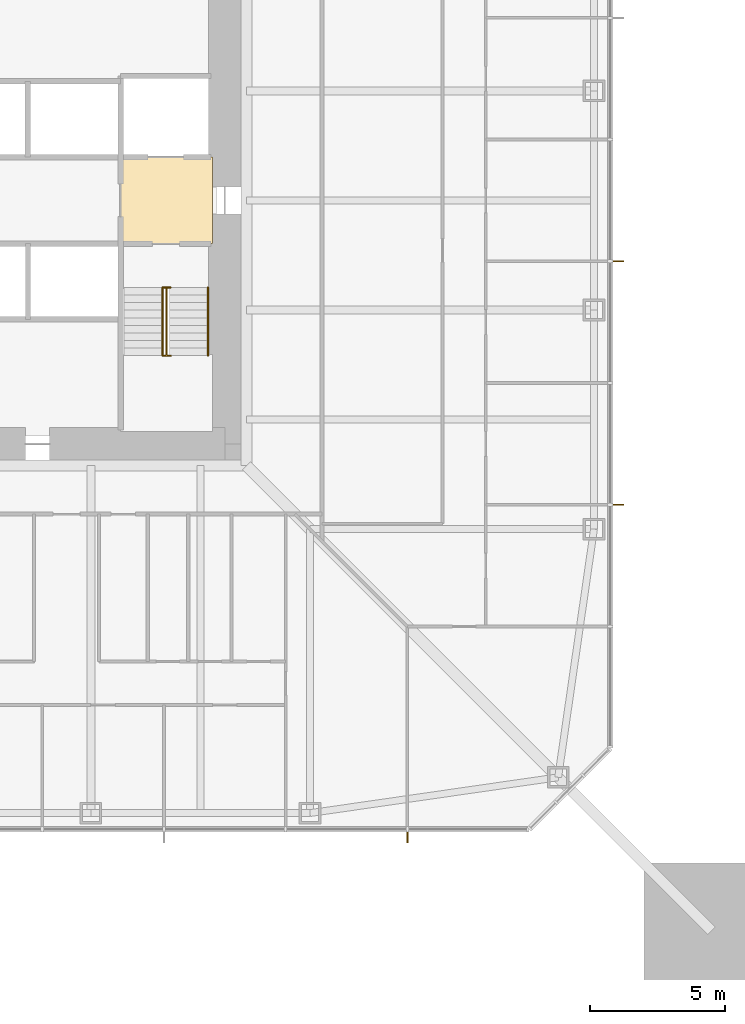
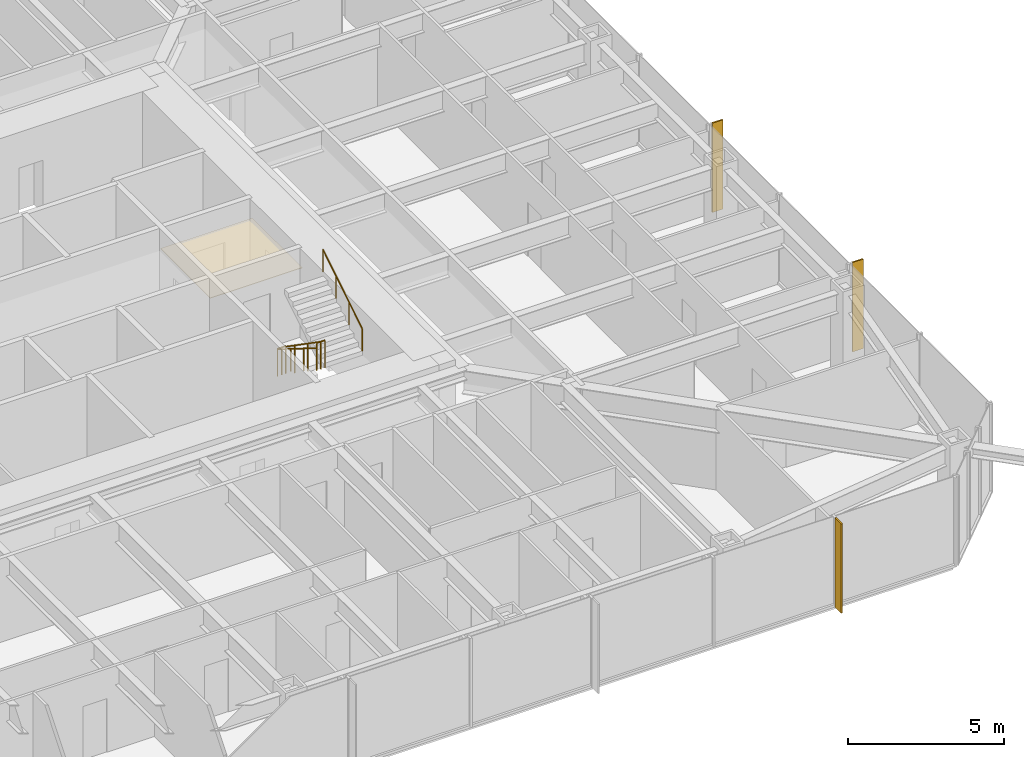
# One storey, part 24 of 26: 3 railings, 3 shading devices, 1 covering.
"""IFC4 building model written with IfcOpenShell, lengths in metres."""

from ifc_helpers import new_model, si_unit, direction, frame, origin, origin_2d, place, context, subcontext, project, spatial, polyline, rectangle, circle, outline, extrude, material, layer, layer_set, constituent, constituent_set, type_object, element, save


model = new_model("IFC4")

# Units and contexts
model_context = context("Model", 3, precision=1e-05, world=origin(), true_north=direction((0.0, 1.0)))
body_context = subcontext(model_context, "Body", "Model", "MODEL_VIEW")
ifc_project = project(units=[si_unit("LENGTHUNIT", "METRE"), si_unit("AREAUNIT", "SQUARE_METRE"), si_unit("VOLUMEUNIT", "CUBIC_METRE"), si_unit("PLANEANGLEUNIT", "RADIAN"), si_unit("MASSUNIT", "GRAM", prefix="KILO")], contexts=[model_context])

# Site, building, storey
site_placement = place(None, origin())
site = spatial("IfcSite", under=ifc_project, at=site_placement, CompositionType="ELEMENT")
building_placement = place(site_placement, origin())
building = spatial("IfcBuilding", under=site, at=building_placement, Name="Iwan Alto Co-Living Towers", CompositionType="ELEMENT")
storey_placement = place(building_placement, frame((0.0, 0.0, 32.5)))
storey = spatial("IfcBuildingStorey", under=building, at=storey_placement, Name="L08", CompositionType="ELEMENT", Elevation=32.5)

# Covering
ifc_material_1 = material(Name="Mineral fibre acoustic tiles on steel grid", Category="steel")
ifc_layer_1 = layer(ifc_material_1, 0.02001953125)
ifc_layer_set_1 = layer_set([ifc_layer_1], Name="ACOUSTIC TILE CEILING 20")
covering_type = type_object("IfcCoveringType", Name="ACOUSTIC TILE CEILING 20", PredefinedType="CEILING", material=ifc_layer_set_1)
covering_placement = place(storey_placement, frame((0.0, 0.0, 2.60009765625)))
element("IfcCovering", 1, at=covering_placement, inside=storey, type_object=covering_type, Name="Ceiling Firefighting lobby L08", PredefinedType="CEILING", context=body_context, shape_type="SweptSolid", body=[
    extrude(outline(polyline([(5.14990234375, -1.60009765625), (5.14990234375, 1.60009765625), (8.550048828125, 1.60009765625), (8.550048828125, -1.60009765625), (5.14990234375, -1.60009765625)])), origin(), (0.0, 0.0, 1.0), 0.02001953125),
])

# Shading devices
ifc_material_2 = material(Name="Aluminium 6063-T6 bronze anodised", Category="aluminium")
ifc_layer_2 = layer(ifc_material_2, 0.050048828125)
ifc_layer_set_2 = layer_set([ifc_layer_2], Name="BRONZE FIN 50X400")
shading_device_type = type_object("IfcShadingDeviceType", Name="BRONZE FIN 50X400", PredefinedType="USERDEFINED", material=ifc_layer_set_2)
for number, where, z_axis, x_axis, name in (
    (2, (15.75, -23.550048828125, 0.0), (0.0, 0.0, 1.0), (1.0, 0.0, 0.0), "Bronze fin L08"),
    (3, (23.550048828125, -11.25, 0.0), (0.0, 0.0, 1.0), (0.0, 1.0, 0.0), "Bronze fin L08"),
    (4, (23.550048828125, -2.25, 0.0), (0.0, 0.0, 1.0), (0.0, 1.0, 0.0), "Bronze fin L08"),
):
    element("IfcShadingDevice", number, at=place(storey_placement, frame(where, z_axis=z_axis, x_axis=x_axis)), inside=storey, type_object=shading_device_type, Name=name, ObjectType="LOUVER", PredefinedType="USERDEFINED", context=body_context, shape_type="SweptSolid", body=[
        extrude(rectangle(XDim=0.050048828125, YDim=0.39990234375, at=origin_2d()), origin(), (0.0, 0.0, 1.0), 3.5),
    ])

# Railings
ifc_material_3 = material(Name="Steel ASTM A500 Gr C", Category="steel")
ifc_constituent_1 = constituent(ifc_material_3, Name="Rails and posts", Category="Framing")
ifc_material_4 = material(Name="Steel ASTM A36", Category="steel")
ifc_constituent_2 = constituent(ifc_material_4, Name="Bar infill", Category="Infill")
ifc_constituent_set = constituent_set(constituents=[ifc_constituent_1, ifc_constituent_2], Name="STAIR GUARD 1100")
railing_type_1 = type_object("IfcRailingType", Name="STAIR GUARD 1100", PredefinedType="GUARDRAIL", material=ifc_constituent_set)
railing_1_placement = place(storey_placement, frame((6.85009765625, -3.219970703125, 0.0)))
element("IfcRailing", 5, at=railing_1_placement, inside=storey, type_object=railing_type_1, Name="Stair T1-S2 well guard L08", PredefinedType="GUARDRAIL", context=body_context, shape_type="SweptSolid", body=[
    extrude(circle(Radius=0.02392578125, at=origin_2d()), frame((0.0, 0.0, 1.076171875), z_axis=(0.0, -0.821372036852, 0.570392826987), x_axis=(1.0, 0.0, 0.0)), (0.0, 0.0, 1.0), 3.068115234375),
    extrude(circle(Radius=0.02392578125, at=origin_2d()), frame((-0.150146484375, 0.0, 1.076171875), z_axis=(1.0, 0.0, 0.0), x_axis=(0.0, 1.0, 0.0)), (0.0, 0.0, 1.0), 0.300048828125),
    extrude(circle(Radius=0.02392578125, at=origin_2d()), frame((-0.150146484375, -2.52001953125, 2.826171875), z_axis=(1.0, 0.0, 0.0), x_axis=(0.0, 1.0, 0.0)), (0.0, 0.0, 1.0), 0.300048828125),
    extrude(circle(Radius=0.02099609375, at=origin_2d()), origin(), (0.0, 0.0, 1.0), 1.052001953125),
    extrude(circle(Radius=0.02099609375, at=origin_2d()), frame((0.0, -0.840087890625, 0.583251953125)), (0.0, 0.0, 1.0), 1.052001953125),
    extrude(circle(Radius=0.02099609375, at=origin_2d()), frame((0.0, -1.679931640625, 1.166748046875)), (0.0, 0.0, 1.0), 1.052001953125),
    extrude(circle(Radius=0.02099609375, at=origin_2d()), frame((0.0, -2.52001953125, 1.75)), (0.0, 0.0, 1.0), 1.052001953125),
    extrude(circle(Radius=0.02099609375, at=origin_2d()), frame((-0.150146484375, 0.0, 0.0)), (0.0, 0.0, 1.0), 1.052001953125),
    extrude(circle(Radius=0.02099609375, at=origin_2d()), frame((0.14990234375, 0.0, 0.0)), (0.0, 0.0, 1.0), 1.052001953125),
    extrude(circle(Radius=0.02099609375, at=origin_2d()), frame((-0.150146484375, -2.52001953125, 1.75)), (0.0, 0.0, 1.0), 1.052001953125),
    extrude(circle(Radius=0.02099609375, at=origin_2d()), frame((0.14990234375, -2.52001953125, 1.75)), (0.0, 0.0, 1.0), 1.052001953125),
])
ifc_material_5 = material(Name="Steel ASTM A500 Gr C", Category="steel")
railing_type_2 = type_object("IfcRailingType", Name="STAIR HANDRAIL 900", PredefinedType="HANDRAIL", material=ifc_material_5)
railing_2_placement = place(storey_placement, frame((6.699951171875, -3.219970703125, 0.175048828125)))
element("IfcRailing", 6, at=railing_2_placement, inside=storey, type_object=railing_type_2, Name="Stair T1-S2 handrail 1 L08", PredefinedType="HANDRAIL", context=body_context, shape_type="SweptSolid", body=[
    extrude(circle(Radius=0.02392578125, at=origin_2d()), frame((0.0, 0.0, 0.8759765625), z_axis=(0.0, -0.848007534815, 0.529984170421), x_axis=(1.0, 0.0, 0.0)), (0.0, 0.0, 1.0), 2.9716796875),
    extrude(circle(Radius=0.02099609375, at=origin_2d()), origin(), (0.0, 0.0, 1.0), 0.851806640625),
    extrude(circle(Radius=0.02099609375, at=origin_2d()), frame((0.0, -0.840087890625, 0.52490234375)), (0.0, 0.0, 1.0), 0.851806640625),
    extrude(circle(Radius=0.02099609375, at=origin_2d()), frame((0.0, -1.679931640625, 1.050048828125)), (0.0, 0.0, 1.0), 0.851806640625),
    extrude(circle(Radius=0.02099609375, at=origin_2d()), frame((0.0, -2.52001953125, 1.574951171875)), (0.0, 0.0, 1.0), 0.851806640625),
])
railing_3_placement = place(storey_placement, frame((8.3798828125, -5.739990234375, 1.925048828125)))
element("IfcRailing", 7, at=railing_3_placement, inside=storey, type_object=railing_type_2, Name="Stair T1-S2 handrail 2 L08", PredefinedType="HANDRAIL", context=body_context, shape_type="SweptSolid", body=[
    extrude(circle(Radius=0.02392578125, at=origin_2d()), frame((0.0, 0.0, 0.8759765625), z_axis=(0.0, 0.848007534815, 0.529984170421), x_axis=(-1.0, 0.0, 0.0)), (0.0, 0.0, 1.0), 2.9716796875),
    extrude(circle(Radius=0.02099609375, at=origin_2d()), origin(), (0.0, 0.0, 1.0), 0.851806640625),
    extrude(circle(Radius=0.02099609375, at=origin_2d()), frame((0.0, 0.840087890625, 0.52490234375)), (0.0, 0.0, 1.0), 0.851806640625),
    extrude(circle(Radius=0.02099609375, at=origin_2d()), frame((0.0, 1.679931640625, 1.050048828125)), (0.0, 0.0, 1.0), 0.851806640625),
    extrude(circle(Radius=0.02099609375, at=origin_2d()), frame((0.0, 2.52001953125, 1.574951171875)), (0.0, 0.0, 1.0), 0.851806640625),
])

save(model, "model.ifc")
